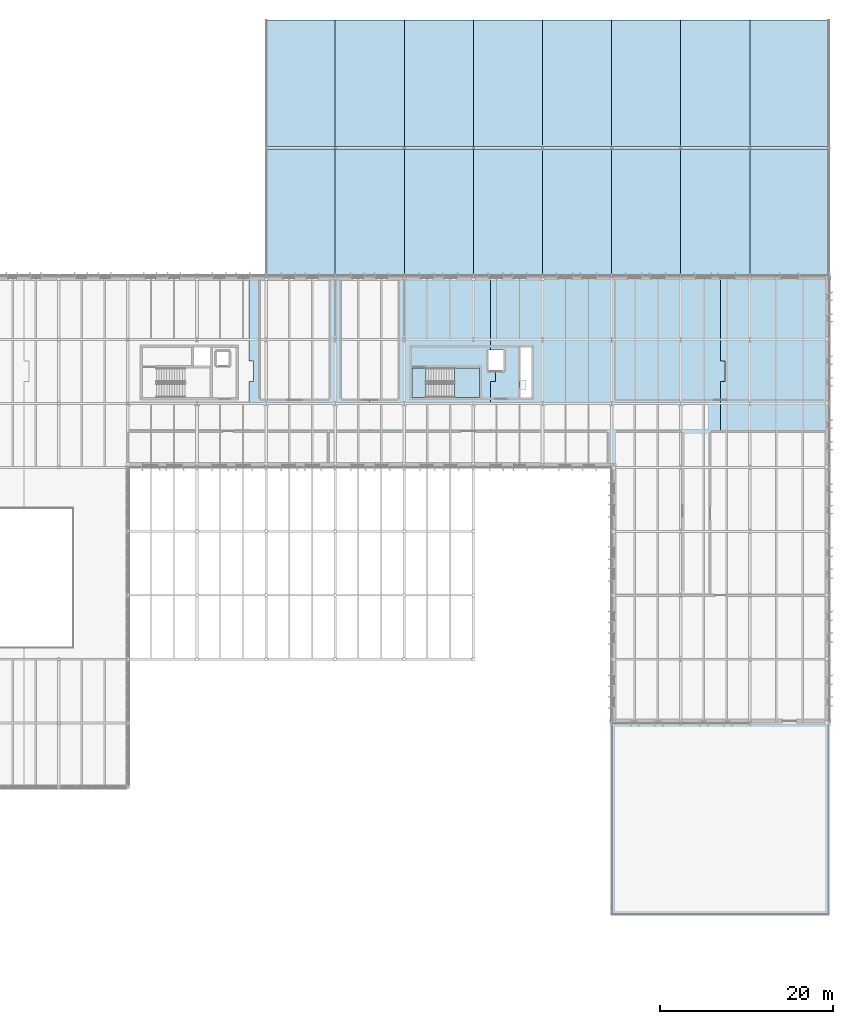
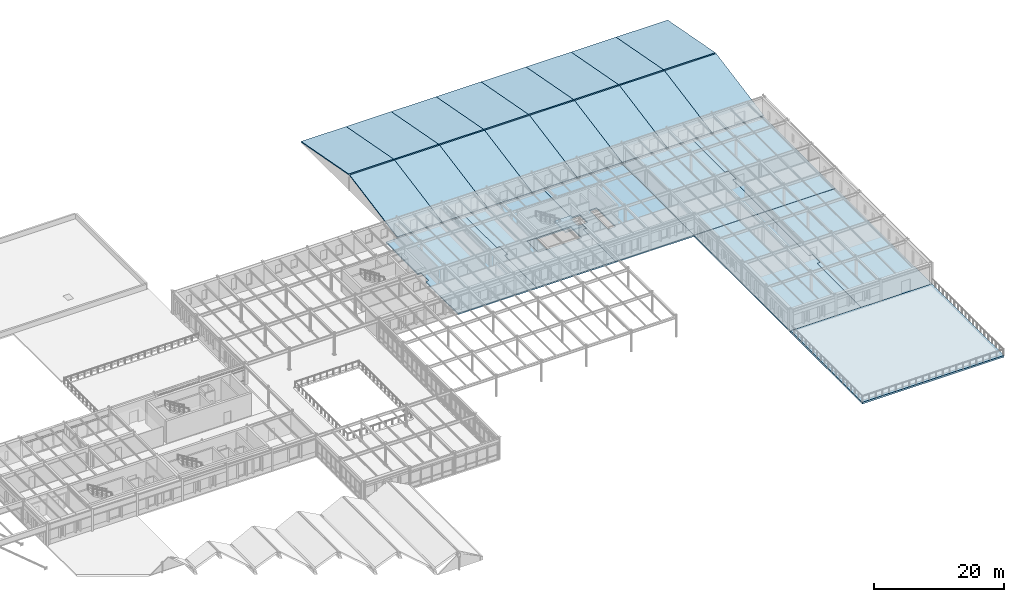
# One storey, part 33 of 63: 26 slabs, 1 element without a shape of its own.
"""IFC4 building model written with IfcOpenShell, lengths in metres."""

from ifc_helpers import new_model, si_unit, direction, frame, origin, place, context, subcontext, project, spatial, polyline, outline, extrude, material, layer, layer_set, type_object, element, aggregate, save


model = new_model("IFC4")

# Units and contexts
model_context = context("Model", 3, precision=1e-05, world=origin(), true_north=direction((0.0, 1.0)))
body_context = subcontext(model_context, "Body", "Model", "MODEL_VIEW")
ifc_project = project(units=[si_unit("LENGTHUNIT", "METRE"), si_unit("AREAUNIT", "SQUARE_METRE"), si_unit("VOLUMEUNIT", "CUBIC_METRE"), si_unit("PLANEANGLEUNIT", "RADIAN"), si_unit("MASSUNIT", "GRAM", prefix="KILO")], contexts=[model_context])

# Site, building, storey
site_placement = place(None, origin())
site = spatial("IfcSite", under=ifc_project, at=site_placement, CompositionType="ELEMENT")
building_placement = place(site_placement, origin())
building = spatial("IfcBuilding", under=site, at=building_placement, Name="Valkorina Park Police Headquarters", CompositionType="ELEMENT")
storey_placement = place(building_placement, frame((0.0, 0.0, 9.89990234375)))
storey = spatial("IfcBuildingStorey", under=building, at=storey_placement, Name="L03", CompositionType="ELEMENT", Elevation=9.89990234375)

# Slabs
ifc_material_1 = material(Name="Concrete C35/45", Category="concrete")
ifc_layer_1 = layer(ifc_material_1, 0.18994140625)
ifc_layer_set_1 = layer_set([ifc_layer_1], Name="Concrete C35/45")
slab_type_1 = type_object("IfcSlabType", Name="SL-FOLD-CMD-190", PredefinedType="ROOF", material=ifc_layer_set_1)
slab_1_placement = place(storey_placement, frame((96.800048828125, 81.39990234375, 0.25), z_axis=(0.0, -0.184489278009, 0.982834526408), x_axis=(1.0, 0.0, 0.0)))
element("IfcSlab", 1, at=slab_1_placement, inside=storey, type_object=slab_type_1, Name="V3 Gymnasium Snow-Shedding Roof 96S", PredefinedType="ROOF", context=body_context, shape_type="SweptSolid", body=[
    extrude(outline(polyline([(0.0, 0.0), (8.0, 0.0), (8.0, 14.906015296303877), (0.0, 14.906015296303877), (0.0, 0.0)])), origin(), (0.0, 0.0, -1.0), 0.18994140625),
])
slab_2_placement = place(storey_placement, frame((96.800048828125, 96.35009765625, 3.0), z_axis=(0.0, 0.184492247875, 0.982833968926), x_axis=(1.0, 0.0, 0.0)))
element("IfcSlab", 2, at=slab_2_placement, inside=storey, type_object=slab_type_1, Name="V3 Gymnasium Snow-Shedding Roof 96N", PredefinedType="ROOF", context=body_context, shape_type="SweptSolid", body=[
    extrude(outline(polyline([(0.0, 0.0), (8.0, 0.0), (8.0, 14.90577534653638), (0.0, 14.90577534653638), (0.0, 0.0)])), origin(), (0.0, 0.0, -1.0), 0.18994140625),
])
slab_3_placement = place(storey_placement, frame((104.800048828125, 81.39990234375, 0.25), z_axis=(0.0, -0.184489278009, 0.982834526408), x_axis=(1.0, 0.0, 0.0)))
element("IfcSlab", 3, at=slab_3_placement, inside=storey, type_object=slab_type_1, Name="V3 Gymnasium Snow-Shedding Roof 104S", PredefinedType="ROOF", context=body_context, shape_type="SweptSolid", body=[
    extrude(outline(polyline([(0.0, 0.0), (8.0, 0.0), (8.0, 14.906015296303877), (0.0, 14.906015296303877), (0.0, 0.0)])), origin(), (0.0, 0.0, -1.0), 0.18994140625),
])
slab_4_placement = place(storey_placement, frame((104.800048828125, 96.35009765625, 3.0), z_axis=(0.0, 0.184492247875, 0.982833968926), x_axis=(1.0, 0.0, 0.0)))
element("IfcSlab", 4, at=slab_4_placement, inside=storey, type_object=slab_type_1, Name="V3 Gymnasium Snow-Shedding Roof 104N", PredefinedType="ROOF", context=body_context, shape_type="SweptSolid", body=[
    extrude(outline(polyline([(0.0, 0.0), (8.0, 0.0), (8.0, 14.90577534653638), (0.0, 14.90577534653638), (0.0, 0.0)])), origin(), (0.0, 0.0, -1.0), 0.18994140625),
])
slab_5_placement = place(storey_placement, frame((112.800048828125, 81.39990234375, 0.25), z_axis=(0.0, -0.184489278009, 0.982834526408), x_axis=(1.0, 0.0, 0.0)))
element("IfcSlab", 5, at=slab_5_placement, inside=storey, type_object=slab_type_1, Name="V3 Gymnasium Snow-Shedding Roof 112S", PredefinedType="ROOF", context=body_context, shape_type="SweptSolid", body=[
    extrude(outline(polyline([(0.0, 0.0), (8.0, 0.0), (8.0, 14.906015296303877), (0.0, 14.906015296303877), (0.0, 0.0)])), origin(), (0.0, 0.0, -1.0), 0.18994140625),
])
slab_6_placement = place(storey_placement, frame((112.800048828125, 96.35009765625, 3.0), z_axis=(0.0, 0.184492247875, 0.982833968926), x_axis=(1.0, 0.0, 0.0)))
element("IfcSlab", 6, at=slab_6_placement, inside=storey, type_object=slab_type_1, Name="V3 Gymnasium Snow-Shedding Roof 112N", PredefinedType="ROOF", context=body_context, shape_type="SweptSolid", body=[
    extrude(outline(polyline([(0.0, 0.0), (8.0, 0.0), (8.0, 14.90577534653638), (0.0, 14.90577534653638), (0.0, 0.0)])), origin(), (0.0, 0.0, -1.0), 0.18994140625),
])
slab_7_placement = place(storey_placement, frame((120.800048828125, 81.39990234375, 0.25), z_axis=(0.0, -0.184489278009, 0.982834526408), x_axis=(1.0, 0.0, 0.0)))
element("IfcSlab", 7, at=slab_7_placement, inside=storey, type_object=slab_type_1, Name="V3 Gymnasium Snow-Shedding Roof 120S", PredefinedType="ROOF", context=body_context, shape_type="SweptSolid", body=[
    extrude(outline(polyline([(0.0, 0.0), (8.0, 0.0), (8.0, 14.906015296303877), (0.0, 14.906015296303877), (0.0, 0.0)])), origin(), (0.0, 0.0, -1.0), 0.18994140625),
])
slab_8_placement = place(storey_placement, frame((120.800048828125, 96.35009765625, 3.0), z_axis=(0.0, 0.184492247875, 0.982833968926), x_axis=(1.0, 0.0, 0.0)))
element("IfcSlab", 8, at=slab_8_placement, inside=storey, type_object=slab_type_1, Name="V3 Gymnasium Snow-Shedding Roof 120N", PredefinedType="ROOF", context=body_context, shape_type="SweptSolid", body=[
    extrude(outline(polyline([(0.0, 0.0), (8.0, 0.0), (8.0, 14.90577534653638), (0.0, 14.90577534653638), (0.0, 0.0)])), origin(), (0.0, 0.0, -1.0), 0.18994140625),
])
slab_9_placement = place(storey_placement, frame((128.800048828125, 81.39990234375, 0.25), z_axis=(0.0, -0.184489278009, 0.982834526408), x_axis=(1.0, 0.0, 0.0)))
element("IfcSlab", 9, at=slab_9_placement, inside=storey, type_object=slab_type_1, Name="V3 Gymnasium Snow-Shedding Roof 128S", PredefinedType="ROOF", context=body_context, shape_type="SweptSolid", body=[
    extrude(outline(polyline([(0.0, 0.0), (8.0, 0.0), (8.0, 14.906015296303877), (0.0, 14.906015296303877), (0.0, 0.0)])), origin(), (0.0, 0.0, -1.0), 0.18994140625),
])
slab_10_placement = place(storey_placement, frame((128.800048828125, 96.35009765625, 3.0), z_axis=(0.0, 0.184492247875, 0.982833968926), x_axis=(1.0, 0.0, 0.0)))
element("IfcSlab", 10, at=slab_10_placement, inside=storey, type_object=slab_type_1, Name="V3 Gymnasium Snow-Shedding Roof 128N", PredefinedType="ROOF", context=body_context, shape_type="SweptSolid", body=[
    extrude(outline(polyline([(0.0, 0.0), (8.0, 0.0), (8.0, 14.90577534653638), (0.0, 14.90577534653638), (0.0, 0.0)])), origin(), (0.0, 0.0, -1.0), 0.18994140625),
])
slab_11_placement = place(storey_placement, frame((136.800048828125, 81.39990234375, 0.25), z_axis=(0.0, -0.184489278009, 0.982834526408), x_axis=(1.0, 0.0, 0.0)))
element("IfcSlab", 11, at=slab_11_placement, inside=storey, type_object=slab_type_1, Name="V3 Gymnasium Snow-Shedding Roof 136S", PredefinedType="ROOF", context=body_context, shape_type="SweptSolid", body=[
    extrude(outline(polyline([(0.0, 0.0), (8.0, 0.0), (8.0, 14.906015296303877), (0.0, 14.906015296303877), (0.0, 0.0)])), origin(), (0.0, 0.0, -1.0), 0.18994140625),
])
slab_12_placement = place(storey_placement, frame((136.800048828125, 96.35009765625, 3.0), z_axis=(0.0, 0.184492247875, 0.982833968926), x_axis=(1.0, 0.0, 0.0)))
element("IfcSlab", 12, at=slab_12_placement, inside=storey, type_object=slab_type_1, Name="V3 Gymnasium Snow-Shedding Roof 136N", PredefinedType="ROOF", context=body_context, shape_type="SweptSolid", body=[
    extrude(outline(polyline([(0.0, 0.0), (8.0, 0.0), (8.0, 14.90577534653638), (0.0, 14.90577534653638), (0.0, 0.0)])), origin(), (0.0, 0.0, -1.0), 0.18994140625),
])
slab_13_placement = place(storey_placement, frame((144.800048828125, 81.39990234375, 0.25), z_axis=(0.0, -0.184489278009, 0.982834526408), x_axis=(1.0, 0.0, 0.0)))
element("IfcSlab", 13, at=slab_13_placement, inside=storey, type_object=slab_type_1, Name="V3 Gymnasium Snow-Shedding Roof 144S", PredefinedType="ROOF", context=body_context, shape_type="SweptSolid", body=[
    extrude(outline(polyline([(0.0, 0.0), (8.0, 0.0), (8.0, 14.906015296303877), (0.0, 14.906015296303877), (0.0, 0.0)])), origin(), (0.0, 0.0, -1.0), 0.18994140625),
])
slab_14_placement = place(storey_placement, frame((144.800048828125, 96.35009765625, 3.0), z_axis=(0.0, 0.184492247875, 0.982833968926), x_axis=(1.0, 0.0, 0.0)))
element("IfcSlab", 14, at=slab_14_placement, inside=storey, type_object=slab_type_1, Name="V3 Gymnasium Snow-Shedding Roof 144N", PredefinedType="ROOF", context=body_context, shape_type="SweptSolid", body=[
    extrude(outline(polyline([(0.0, 0.0), (8.0, 0.0), (8.0, 14.90577534653638), (0.0, 14.90577534653638), (0.0, 0.0)])), origin(), (0.0, 0.0, -1.0), 0.18994140625),
])
slab_15_placement = place(storey_placement, frame((152.800048828125, 81.39990234375, 0.25), z_axis=(0.0, -0.184489278009, 0.982834526408), x_axis=(1.0, 0.0, 0.0)))
element("IfcSlab", 15, at=slab_15_placement, inside=storey, type_object=slab_type_1, Name="V3 Gymnasium Snow-Shedding Roof 152S", PredefinedType="ROOF", context=body_context, shape_type="SweptSolid", body=[
    extrude(outline(polyline([(0.0, 0.0), (9.199951171875, 0.0), (9.199951171875, 14.906015296303877), (0.0, 14.906015296303877), (0.0, 0.0)])), origin(), (0.0, 0.0, -1.0), 0.18994140625),
])
slab_16_placement = place(storey_placement, frame((152.800048828125, 96.35009765625, 3.0), z_axis=(0.0, 0.184492247875, 0.982833968926), x_axis=(1.0, 0.0, 0.0)))
element("IfcSlab", 16, at=slab_16_placement, inside=storey, type_object=slab_type_1, Name="V3 Gymnasium Snow-Shedding Roof 152N", PredefinedType="ROOF", context=body_context, shape_type="SweptSolid", body=[
    extrude(outline(polyline([(0.0, 0.0), (9.199951171875, 0.0), (9.199951171875, 14.90577534653638), (0.0, 14.90577534653638), (0.0, 0.0)])), origin(), (0.0, 0.0, -1.0), 0.18994140625),
])

# Stair, slab
stair_type = type_object("IfcStairType", Name="ST-DOGLEG-160-42", PredefinedType="HALF_TURN_STAIR", material=ifc_material_1)
stair_placement = place(storey_placement, origin())
stair = element("IfcStair", 17, at=stair_placement, inside=storey, type_object=stair_type, Name="L03 Core C5 Protected Stair (ST-04)", PredefinedType="HALF_TURN_STAIR")
ifc_layer_2 = layer(ifc_material_1, 0.22998046875)
ifc_layer_set_2 = layer_set([ifc_layer_2], Name="Concrete C35/45")
slab_type_2 = type_object("IfcSlabType", Name="SL-LANDING-230", PredefinedType="LANDING", material=ifc_layer_set_2)
slab_17_placement = place(storey_placement, frame((0.0, 0.0, 1.8701171875)))
slab_17 = element("IfcSlab", 18, at=slab_17_placement, type_object=slab_type_2, Name="ST-04 landing 1", PredefinedType="LANDING", context=body_context, shape_type="SweptSolid", body=[
    extrude(outline(polyline([(118.60009765625, 67.300048828125), (121.5, 67.300048828125), (121.5, 70.699951171875), (118.60009765625, 70.699951171875), (118.60009765625, 67.300048828125)])), origin(), (0.0, 0.0, 1.0), 0.22998046875),
])
aggregate(stair, [slab_17])

# Slabs
ifc_layer_3 = layer(ifc_material_1, 0.260009765625)
ifc_layer_set_3 = layer_set([ifc_layer_3], Name="Concrete C35/45")
slab_type_3 = type_object("IfcSlabType", Name="SL-PODIUM-260", PredefinedType="FLOOR", material=ifc_layer_set_3)
slab_18_placement = place(storey_placement, frame((0.0, 0.0, -0.260009765625)))
element("IfcSlab", 19, at=slab_18_placement, inside=storey, type_object=slab_type_3, Name="L03 Structural Floor Slab 66", PredefinedType="FLOOR", context=body_context, shape_type="SweptSolid", body=[
    extrude(outline(polyline([(108.800048828125, 81.39990234375), (94.800048828125, 81.39990234375), (94.800048828125, 71.52099609375), (95.35009765625, 71.52099609375), (95.35009765625, 69.12109375), (94.800048828125, 69.12109375), (94.800048828125, 59.241943359375), (108.800048828125, 59.241943359375), (108.800048828125, 69.12109375), (109.35009765625, 69.12109375), (109.35009765625, 71.52099609375), (108.800048828125, 71.52099609375), (108.800048828125, 81.39990234375)])), origin(), (0.0, 0.0, 1.0), 0.260009765625),
])
slab_19_placement = place(storey_placement, frame((0.0, 0.0, -0.260009765625)))
element("IfcSlab", 20, at=slab_19_placement, inside=storey, type_object=slab_type_3, Name="L03 Structural Floor Slab 67", PredefinedType="FLOOR", context=body_context, shape_type="SweptSolid", body=[
    extrude(outline(polyline([(122.800048828125, 81.39990234375), (108.800048828125, 81.39990234375), (108.800048828125, 71.52099609375), (109.35009765625, 71.52099609375), (109.35009765625, 69.12109375), (108.800048828125, 69.12109375), (108.800048828125, 59.241943359375), (122.800048828125, 59.241943359375), (122.800048828125, 69.12109375), (123.35009765625, 69.12109375), (123.35009765625, 70.39990234375), (122.5, 70.39990234375), (122.5, 72.800048828125), (122.800048828125, 72.800048828125), (122.800048828125, 81.39990234375)]), holes=[polyline([(113.699951171875, 67.300048828125), (113.699951171875, 70.699951171875), (121.5, 70.699951171875), (121.5, 67.300048828125), (113.699951171875, 67.300048828125)])]), origin(), (0.0, 0.0, 1.0), 0.260009765625),
])
slab_20_placement = place(storey_placement, frame((0.0, 0.0, -0.260009765625)))
element("IfcSlab", 21, at=slab_20_placement, inside=storey, type_object=slab_type_3, Name="L03 Structural Floor Slab 68", PredefinedType="FLOOR", context=body_context, shape_type="SweptSolid", body=[
    extrude(outline(polyline([(122.800048828125, 81.39990234375), (122.800048828125, 72.800048828125), (124.300048828125, 72.800048828125), (124.300048828125, 70.39990234375), (123.35009765625, 70.39990234375), (123.35009765625, 69.12109375), (122.800048828125, 69.12109375), (122.800048828125, 59.241943359375), (136.800048828125, 59.241943359375), (136.800048828125, 81.39990234375), (122.800048828125, 81.39990234375)]), holes=[polyline([(127.5, 67.300048828125), (126.199951171875, 67.300048828125), (126.199951171875, 73.10009765625), (127.5, 73.10009765625), (127.5, 67.300048828125)])]), origin(), (0.0, 0.0, 1.0), 0.260009765625),
])
ifc_layer_4 = layer(ifc_material_1, 0.330078125)
ifc_layer_set_4 = layer_set([ifc_layer_4], Name="Concrete C35/45")
slab_type_4 = type_object("IfcSlabType", Name="SL-TERRACE-EXT-350", PredefinedType="FLOOR", material=ifc_layer_set_4)
slab_21_placement = place(storey_placement, frame((0.0, 0.0, -0.329833984375)))
element("IfcSlab", 22, at=slab_21_placement, inside=storey, type_object=slab_type_4, Name="L03 Forensic Wing South Terrace", PredefinedType="FLOOR", context=body_context, shape_type="SweptSolid", body=[
    extrude(outline(polyline([(162.0, 7.39990234375), (162.0, 29.60009765625), (136.800048828125, 29.60009765625), (136.800048828125, 7.39990234375), (162.0, 7.39990234375)])), origin(), (0.0, 0.0, 1.0), 0.329833984375),
])
ifc_material_2 = material(Name="Concrete C40/50", Category="concrete")
ifc_layer_5 = layer(ifc_material_2, 0.300048828125)
ifc_layer_set_5 = layer_set([ifc_layer_5], Name="Concrete C40/50")
slab_type_5 = type_object("IfcSlabType", Name="SL-VAULT-300", PredefinedType="FLOOR", material=ifc_layer_set_5)
slab_22_placement = place(storey_placement, frame((0.0, 0.0, -0.2998046875)))
element("IfcSlab", 23, at=slab_22_placement, inside=storey, type_object=slab_type_5, Name="L03 Structural Floor Slab 69", PredefinedType="FLOOR", context=body_context, shape_type="SweptSolid", body=[
    extrude(outline(polyline([(149.39990234375, 29.60009765625), (149.39990234375, 43.196044921875), (149.949951171875, 43.196044921875), (149.949951171875, 45.595947265625), (149.39990234375, 45.595947265625), (149.39990234375, 59.19189453125), (136.800048828125, 59.19189453125), (136.800048828125, 29.60009765625), (149.39990234375, 29.60009765625)])), origin(), (0.0, 0.0, 1.0), 0.2998046875),
])
slab_23_placement = place(storey_placement, frame((0.0, 0.0, -0.2998046875)))
element("IfcSlab", 24, at=slab_23_placement, inside=storey, type_object=slab_type_5, Name="L03 Structural Floor Slab 70", PredefinedType="FLOOR", context=body_context, shape_type="SweptSolid", body=[
    extrude(outline(polyline([(149.39990234375, 59.19189453125), (149.39990234375, 45.595947265625), (149.949951171875, 45.595947265625), (149.949951171875, 43.196044921875), (149.39990234375, 43.196044921875), (149.39990234375, 29.60009765625), (162.0, 29.60009765625), (162.0, 59.19189453125), (149.39990234375, 59.19189453125)])), origin(), (0.0, 0.0, 1.0), 0.2998046875),
])
slab_24_placement = place(storey_placement, frame((0.0, 0.0, -0.2998046875)))
element("IfcSlab", 25, at=slab_24_placement, inside=storey, type_object=slab_type_5, Name="L03 Structural Floor Slab 71", PredefinedType="FLOOR", context=body_context, shape_type="SweptSolid", body=[
    extrude(outline(polyline([(149.39990234375, 59.241943359375), (149.39990234375, 69.12109375), (149.949951171875, 69.12109375), (149.949951171875, 71.52099609375), (149.39990234375, 71.52099609375), (149.39990234375, 81.39990234375), (136.800048828125, 81.39990234375), (136.800048828125, 59.241943359375), (149.39990234375, 59.241943359375)])), origin(), (0.0, 0.0, 1.0), 0.2998046875),
])
slab_25_placement = place(storey_placement, frame((0.0, 0.0, -0.2998046875)))
element("IfcSlab", 26, at=slab_25_placement, inside=storey, type_object=slab_type_5, Name="L03 Structural Floor Slab 72", PredefinedType="FLOOR", context=body_context, shape_type="SweptSolid", body=[
    extrude(outline(polyline([(149.39990234375, 81.39990234375), (149.39990234375, 71.52099609375), (149.949951171875, 71.52099609375), (149.949951171875, 69.12109375), (149.39990234375, 69.12109375), (149.39990234375, 59.241943359375), (162.0, 59.241943359375), (162.0, 81.39990234375), (149.39990234375, 81.39990234375)])), origin(), (0.0, 0.0, 1.0), 0.2998046875),
])
slab_26_placement = place(storey_placement, frame((0.0, 0.0, -0.2998046875)))
element("IfcSlab", 27, at=slab_26_placement, inside=storey, type_object=slab_type_5, Name="L03 Core C5 Structural Floor Landing Slab", PredefinedType="FLOOR", context=body_context, shape_type="SweptSolid", body=[
    extrude(outline(polyline([(113.699951171875, 67.300048828125), (115.300048828125, 67.300048828125), (115.300048828125, 70.699951171875), (113.699951171875, 70.699951171875), (113.699951171875, 67.300048828125)])), origin(), (0.0, 0.0, 1.0), 0.2998046875),
])

save(model, "model.ifc")
